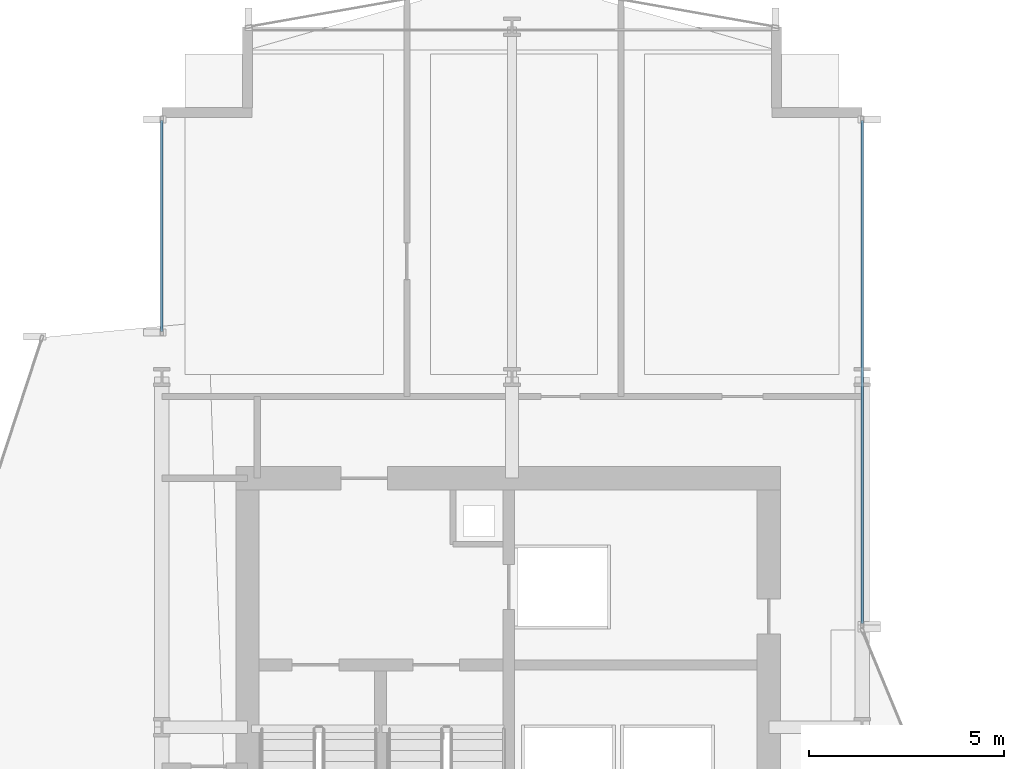
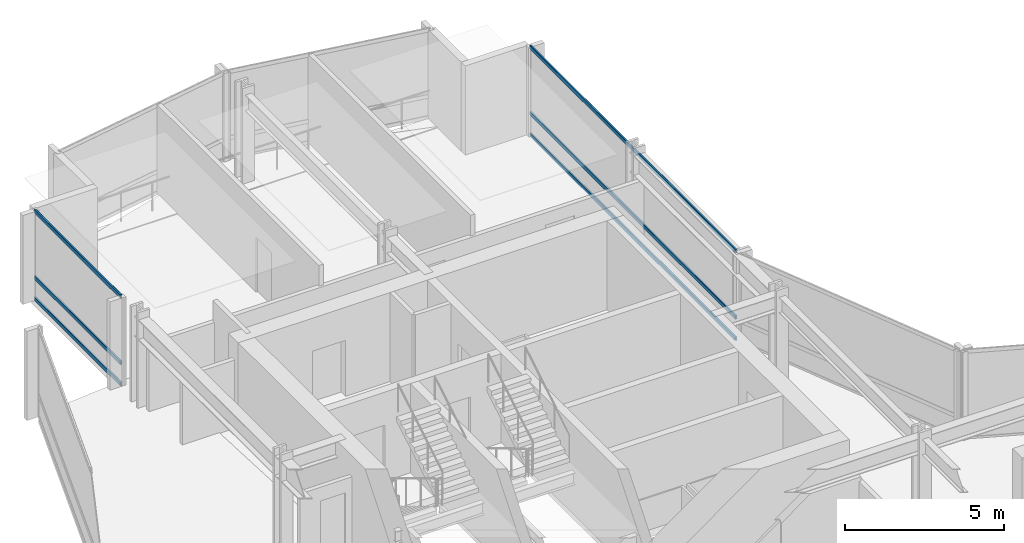
# One storey, part 22 of 34: 6 members, 2 elements without a shape of their own.
"""IFC4 building model written with IfcOpenShell, lengths in metres."""

from ifc_helpers import new_model, si_unit, direction, frame, origin, origin_2d, place, context, subcontext, project, spatial, hollow_rectangle, extrude, material, layer, layer_set, material_profile, profile_set, type_object, element, aggregate, save


model = new_model("IFC4")

# Units and contexts
model_context = context("Model", 3, precision=1e-05, world=origin(), true_north=direction((0.0, 1.0)))
body_context = subcontext(model_context, "Body", "Model", "MODEL_VIEW")
ifc_project = project(units=[si_unit("LENGTHUNIT", "METRE"), si_unit("AREAUNIT", "SQUARE_METRE"), si_unit("VOLUMEUNIT", "CUBIC_METRE"), si_unit("PLANEANGLEUNIT", "RADIAN"), si_unit("MASSUNIT", "GRAM", prefix="KILO")], contexts=[model_context])

# Site, building, storey
site_placement = place(None, origin())
site = spatial("IfcSite", under=ifc_project, at=site_placement, CompositionType="ELEMENT")
building_placement = place(site_placement, origin())
building = spatial("IfcBuilding", under=site, at=building_placement, Name="Solvaryn Broadcast Tower", CompositionType="ELEMENT")
storey_placement = place(building_placement, frame((0.0, 0.0, 36.0)))
storey = spatial("IfcBuildingStorey", under=building, at=storey_placement, Name="L07", CompositionType="ELEMENT", Elevation=36.0)

# Curtain wall, members
ifc_material_1 = material(Name="Aluminium and Terracotta Unitised Curtain Wall", Category="masonry")
ifc_layer = layer(ifc_material_1, 0.199951171875)
ifc_layer_set = layer_set([ifc_layer], Name="CW-SYS2-LOWMID")
curtain_wall_type = type_object("IfcCurtainWallType", Name="CW-SYS2-LOWMID", PredefinedType="NOTDEFINED", material=ifc_layer_set)
curtain_wall_1_placement = place(storey_placement, origin())
curtain_wall_1 = element("IfcCurtainWall", 1, at=curtain_wall_1_placement, inside=storey, type_object=curtain_wall_type, Name="L07 Curtain Wall W2", PredefinedType="NOTDEFINED")
ifc_material_2 = material(Name="Anodised Aluminium 6063-T6", Category="aluminium")
ifc_material_profile = material_profile(ifc_material_2, hollow_rectangle(XDim=0.06494140625, YDim=0.14990234375, WallThickness=0.00390625, InnerFilletRadius=0.00390625, OuterFilletRadius=0.008056640625, at=origin_2d()))
ifc_profile_set = profile_set([ifc_material_profile], Name="Anodised Aluminium 6063-T6")
member_type = type_object("IfcMemberType", Name="CW-TRN-150", PredefinedType="USERDEFINED", material=ifc_profile_set)
member_1_placement = place(storey_placement, frame((9.0, 46.176025390625, 0.030029296875), z_axis=(0.0, 1.0, 0.0), x_axis=(-1.0, 0.0, 0.0)))
member_1 = element("IfcMember", 2, at=member_1_placement, type_object=member_type, Name="CWS2 transom 1.1", ObjectType="TRANSOM", PredefinedType="USERDEFINED", context=body_context, shape_type="SweptSolid", body=[
    extrude(hollow_rectangle(XDim=0.06494140625, YDim=0.14990234375, WallThickness=0.00390625, InnerFilletRadius=0.00390625, OuterFilletRadius=0.008056640625, at=origin_2d()), origin(), (0.0, 0.0, 1.0), 5.4140625),
])
member_2_placement = place(storey_placement, frame((9.0, 46.176025390625, 0.85009765625), z_axis=(0.0, 1.0, 0.0), x_axis=(-1.0, 0.0, 0.0)))
member_2 = element("IfcMember", 3, at=member_2_placement, type_object=member_type, Name="CWS2 transom 1.2", ObjectType="TRANSOM", PredefinedType="USERDEFINED", context=body_context, shape_type="SweptSolid", body=[
    extrude(hollow_rectangle(XDim=0.06494140625, YDim=0.14990234375, WallThickness=0.00390625, InnerFilletRadius=0.00390625, OuterFilletRadius=0.008056640625, at=origin_2d()), origin(), (0.0, 0.0, 1.0), 5.4140625),
])
member_3_placement = place(storey_placement, frame((9.0, 46.176025390625, 3.389892578125), z_axis=(0.0, 1.0, 0.0), x_axis=(-1.0, 0.0, 0.0)))
member_3 = element("IfcMember", 4, at=member_3_placement, type_object=member_type, Name="CWS2 transom 1.3", ObjectType="TRANSOM", PredefinedType="USERDEFINED", context=body_context, shape_type="SweptSolid", body=[
    extrude(hollow_rectangle(XDim=0.06494140625, YDim=0.14990234375, WallThickness=0.00390625, InnerFilletRadius=0.00390625, OuterFilletRadius=0.008056640625, at=origin_2d()), origin(), (0.0, 0.0, 1.0), 5.4140625),
])
aggregate(curtain_wall_1, [member_1, member_2, member_3])

curtain_wall_2_placement = place(storey_placement, origin())
curtain_wall_2 = element("IfcCurtainWall", 5, at=curtain_wall_2_placement, inside=storey, type_object=curtain_wall_type, Name="L07 Curtain Wall IV", PredefinedType="NOTDEFINED")
member_4_placement = place(storey_placement, frame((27.0, 51.590087890625, 0.030029296875), z_axis=(0.0, -1.0, 0.0), x_axis=(1.0, 0.0, 0.0)))
member_4 = element("IfcMember", 6, at=member_4_placement, type_object=member_type, Name="CWS2 transom 1.1", ObjectType="TRANSOM", PredefinedType="USERDEFINED", context=body_context, shape_type="SweptSolid", body=[
    extrude(hollow_rectangle(XDim=0.06494140625, YDim=0.14990234375, WallThickness=0.00390625, InnerFilletRadius=0.00390625, OuterFilletRadius=0.008056640625, at=origin_2d()), origin(), (0.0, 0.0, 1.0), 12.93017578125),
])
member_5_placement = place(storey_placement, frame((27.0, 51.590087890625, 0.85009765625), z_axis=(0.0, -1.0, 0.0), x_axis=(1.0, 0.0, 0.0)))
member_5 = element("IfcMember", 7, at=member_5_placement, type_object=member_type, Name="CWS2 transom 1.2", ObjectType="TRANSOM", PredefinedType="USERDEFINED", context=body_context, shape_type="SweptSolid", body=[
    extrude(hollow_rectangle(XDim=0.06494140625, YDim=0.14990234375, WallThickness=0.00390625, InnerFilletRadius=0.00390625, OuterFilletRadius=0.008056640625, at=origin_2d()), origin(), (0.0, 0.0, 1.0), 12.93017578125),
])
member_6_placement = place(storey_placement, frame((27.0, 51.590087890625, 3.389892578125), z_axis=(0.0, -1.0, 0.0), x_axis=(1.0, 0.0, 0.0)))
member_6 = element("IfcMember", 8, at=member_6_placement, type_object=member_type, Name="CWS2 transom 1.3", ObjectType="TRANSOM", PredefinedType="USERDEFINED", context=body_context, shape_type="SweptSolid", body=[
    extrude(hollow_rectangle(XDim=0.06494140625, YDim=0.14990234375, WallThickness=0.00390625, InnerFilletRadius=0.00390625, OuterFilletRadius=0.008056640625, at=origin_2d()), origin(), (0.0, 0.0, 1.0), 12.93017578125),
])
aggregate(curtain_wall_2, [member_4, member_5, member_6])

save(model, "model.ifc")
